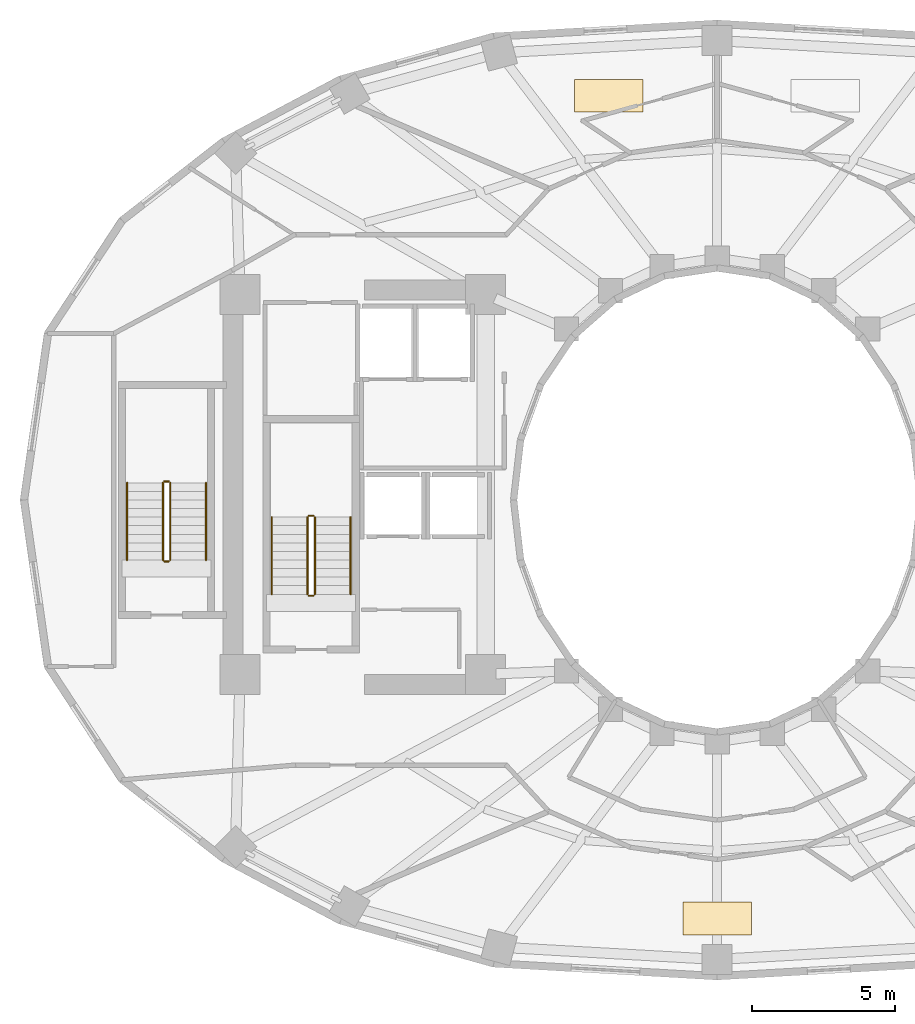
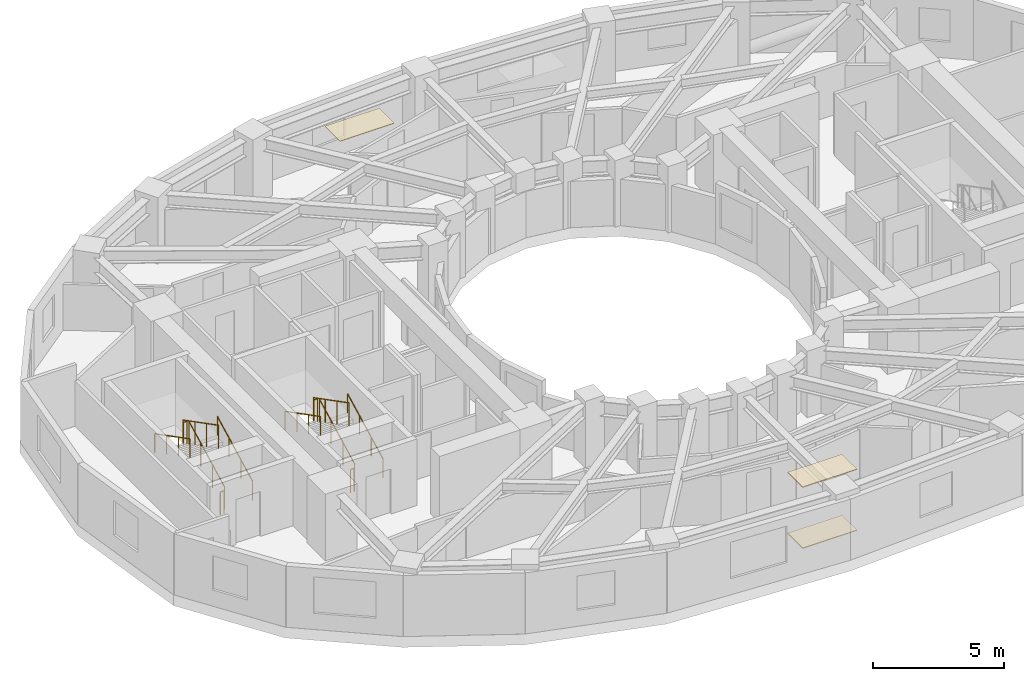
# One storey, part 8 of 9: 12 railings, 3 coverings.
"""IFC4 building model written with IfcOpenShell, lengths in metres."""

from ifc_helpers import new_model, si_unit, direction, frame, origin, origin_2d, place, context, subcontext, project, spatial, polyline, circle, outline, extrude, material, layer, layer_set, type_object, element, save


model = new_model("IFC4")

# Units and contexts
model_context = context("Model", 3, precision=1e-05, world=origin(), true_north=direction((0.0, 1.0)))
body_context = subcontext(model_context, "Body", "Model", "MODEL_VIEW")
ifc_project = project(units=[si_unit("LENGTHUNIT", "METRE"), si_unit("AREAUNIT", "SQUARE_METRE"), si_unit("VOLUMEUNIT", "CUBIC_METRE"), si_unit("PLANEANGLEUNIT", "RADIAN"), si_unit("MASSUNIT", "GRAM", prefix="KILO")], contexts=[model_context])

# Site, building, storey
site_placement = place(None, origin())
site = spatial("IfcSite", under=ifc_project, at=site_placement, CompositionType="ELEMENT")
building_placement = place(site_placement, origin())
building = spatial("IfcBuilding", under=site, at=building_placement, Name="Solvane Sanctuary Tower", CompositionType="ELEMENT")
storey_placement = place(building_placement, frame((0.0, 0.0, 122.800048828125)))
storey = spatial("IfcBuildingStorey", under=building, at=storey_placement, Name="L37", CompositionType="ELEMENT", Elevation=122.800048828125)

# Coverings
ifc_material_1 = material(Name="Acoustic Gypsum Partition Board")
ifc_layer_1 = layer(ifc_material_1, 0.02490234375, Name="Acoustic Gypsum Partition Board")
ifc_layer_set_1 = layer_set([ifc_layer_1], Name="Acoustic Gypsum Partition Board")
covering_type_1 = type_object("IfcCoveringType", Name="Covering CLG-ACOUST", PredefinedType="CEILING", material=ifc_layer_set_1)
covering_1_placement = place(storey_placement, frame((0.0, 0.0, 2.849853515625)))
element("IfcCovering", 1, at=covering_1_placement, inside=storey, type_object=covering_type_1, Name="L37 Unit Acoustic Ceiling Panel 2", PredefinedType="CEILING", context=body_context, shape_type="SweptSolid", body=[
    extrude(outline(polyline([(27.008056640625, 36.575927734375), (29.407958984375, 36.575927734375), (29.407958984375, 37.72607421875), (27.008056640625, 37.72607421875), (27.008056640625, 36.575927734375)])), origin(), (0.0, 0.0, 1.0), 0.030029296875),
])
covering_2_placement = place(storey_placement, frame((0.0, 0.0, 2.849853515625)))
element("IfcCovering", 2, at=covering_2_placement, inside=storey, type_object=covering_type_1, Name="L37 Unit Acoustic Ceiling Panel 3", PredefinedType="CEILING", context=body_context, shape_type="SweptSolid", body=[
    extrude(outline(polyline([(30.800048828125, 7.77490234375), (33.199951171875, 7.77490234375), (33.199951171875, 8.925048828125), (30.800048828125, 8.925048828125), (30.800048828125, 7.77490234375)])), origin(), (0.0, 0.0, 1.0), 0.030029296875),
])
ifc_material_2 = material(Name="Ceramic Tile Finish")
ifc_layer_2 = layer(ifc_material_2, 0.030029296875, Name="Ceramic Tile Finish")
ifc_layer_set_2 = layer_set([ifc_layer_2], Name="Ceramic Tile Finish")
covering_type_2 = type_object("IfcCoveringType", Name="Covering FLR-TERRAZZO", PredefinedType="FLOORING", material=ifc_layer_set_2)
covering_3_placement = place(storey_placement, origin())
element("IfcCovering", 3, at=covering_3_placement, inside=storey, type_object=covering_type_2, Name="L37 Unit Terrazzo Inlay 3", PredefinedType="FLOORING", context=body_context, shape_type="SweptSolid", body=[
    extrude(outline(polyline([(30.800048828125, 7.77490234375), (33.199951171875, 7.77490234375), (33.199951171875, 8.925048828125), (30.800048828125, 8.925048828125), (30.800048828125, 7.77490234375)])), origin(), (0.0, 0.0, 1.0), 0.034912109375),
])

# Railings
ifc_material_3 = material(Name="Architectural Stainless Steel 316", Category="steel")
railing_type_1 = type_object("IfcRailingType", Name="Railing GR-BALC-1150", PredefinedType="BALUSTRADE", material=ifc_material_3)
railing_1_placement = place(storey_placement, frame((17.919921875, 19.699951171875, 0.155029296875)))
element("IfcRailing", 4, at=railing_1_placement, inside=storey, type_object=railing_type_1, Name="L37 ST-1 stair guard 1", PredefinedType="BALUSTRADE", context=body_context, shape_type="SweptSolid", body=[
    extrude(circle(Radius=0.02392578125, at=origin_2d()), frame((0.0, 0.0, 1.076171875), z_axis=(0.0, 0.888419900624, 0.459031676658), x_axis=(-1.0, 0.0, 0.0)), (0.0, 0.0, 1.0), 3.0390625),
    extrude(circle(Radius=0.02099609375, at=origin_2d()), origin(), (0.0, 0.0, 1.0), 1.052001953125),
    extrude(circle(Radius=0.02099609375, at=origin_2d()), frame((0.0, 0.89990234375, 0.465087890625)), (0.0, 0.0, 1.0), 1.052001953125),
    extrude(circle(Radius=0.02099609375, at=origin_2d()), frame((0.0, 1.800048828125, 0.929931640625)), (0.0, 0.0, 1.0), 1.052001953125),
    extrude(circle(Radius=0.02099609375, at=origin_2d()), frame((0.0, 2.699951171875, 1.39501953125)), (0.0, 0.0, 1.0), 1.052001953125),
])
railing_2_placement = place(storey_placement, frame((17.8701171875, 22.449951171875, 1.550048828125)))
element("IfcRailing", 5, at=railing_2_placement, inside=storey, type_object=railing_type_1, Name="L37 ST-1 stair guard 2", PredefinedType="BALUSTRADE", context=body_context, shape_type="SweptSolid", body=[
    extrude(circle(Radius=0.02392578125, at=origin_2d()), frame((0.0, 0.0, 1.076171875), z_axis=(-1.0, 0.0, 0.0), x_axis=(0.0, -1.0, 0.0)), (0.0, 0.0, 1.0), 0.16015625),
    extrude(circle(Radius=0.02099609375, at=origin_2d()), origin(), (0.0, 0.0, 1.0), 1.052001953125),
    extrude(circle(Radius=0.02099609375, at=origin_2d()), frame((-0.16015625, 0.0, 0.0)), (0.0, 0.0, 1.0), 1.052001953125),
])
railing_3_placement = place(storey_placement, frame((17.659912109375, 22.39990234375, 1.704833984375)))
element("IfcRailing", 6, at=railing_3_placement, inside=storey, type_object=railing_type_1, Name="L37 ST-1 stair guard 3", PredefinedType="BALUSTRADE", context=body_context, shape_type="SweptSolid", body=[
    extrude(circle(Radius=0.02392578125, at=origin_2d()), frame((0.0, 0.0, 1.076171875), z_axis=(0.0, -0.888419900624, 0.459031676658), x_axis=(1.0, 0.0, 0.0)), (0.0, 0.0, 1.0), 3.0390625),
    extrude(circle(Radius=0.02099609375, at=origin_2d()), origin(), (0.0, 0.0, 1.0), 1.052001953125),
    extrude(circle(Radius=0.02099609375, at=origin_2d()), frame((0.0, -0.89990234375, 0.465087890625)), (0.0, 0.0, 1.0), 1.052001953125),
    extrude(circle(Radius=0.02099609375, at=origin_2d()), frame((0.0, -1.800048828125, 0.929931640625)), (0.0, 0.0, 1.0), 1.052001953125),
    extrude(circle(Radius=0.02099609375, at=origin_2d()), frame((0.0, -2.699951171875, 1.39501953125)), (0.0, 0.0, 1.0), 1.052001953125),
])
railing_4_placement = place(storey_placement, frame((17.8701171875, 19.64990234375, 0.0)))
element("IfcRailing", 7, at=railing_4_placement, inside=storey, type_object=railing_type_1, Name="L37 ST-1 stair guard 4", PredefinedType="BALUSTRADE", context=body_context, shape_type="SweptSolid", body=[
    extrude(circle(Radius=0.02392578125, at=origin_2d()), frame((0.0, 0.0, 1.076171875), z_axis=(-1.0, 0.0, 0.0), x_axis=(0.0, -1.0, 0.0)), (0.0, 0.0, 1.0), 0.16015625),
    extrude(circle(Radius=0.02099609375, at=origin_2d()), origin(), (0.0, 0.0, 1.0), 1.052001953125),
    extrude(circle(Radius=0.02099609375, at=origin_2d()), frame((-0.16015625, 0.0, 0.0)), (0.0, 0.0, 1.0), 1.052001953125),
])
railing_5_placement = place(storey_placement, frame((12.860107421875, 20.89990234375, 0.155029296875)))
element("IfcRailing", 8, at=railing_5_placement, inside=storey, type_object=railing_type_1, Name="L37 ST-3 stair guard 1", PredefinedType="BALUSTRADE", context=body_context, shape_type="SweptSolid", body=[
    extrude(circle(Radius=0.02392578125, at=origin_2d()), frame((0.0, 0.0, 1.076171875), z_axis=(0.0, 0.888436826113, 0.458998917216), x_axis=(-1.0, 0.0, 0.0)), (0.0, 0.0, 1.0), 3.039306640625),
    extrude(circle(Radius=0.02099609375, at=origin_2d()), origin(), (0.0, 0.0, 1.0), 1.052001953125),
    extrude(circle(Radius=0.02099609375, at=origin_2d()), frame((0.0, 0.900146484375, 0.465087890625)), (0.0, 0.0, 1.0), 1.052001953125),
    extrude(circle(Radius=0.02099609375, at=origin_2d()), frame((0.0, 1.800048828125, 0.929931640625)), (0.0, 0.0, 1.0), 1.052001953125),
    extrude(circle(Radius=0.02099609375, at=origin_2d()), frame((0.0, 2.7001953125, 1.39501953125)), (0.0, 0.0, 1.0), 1.052001953125),
])
railing_6_placement = place(storey_placement, frame((12.81005859375, 23.64990234375, 1.550048828125)))
element("IfcRailing", 9, at=railing_6_placement, inside=storey, type_object=railing_type_1, Name="L37 ST-3 stair guard 2", PredefinedType="BALUSTRADE", context=body_context, shape_type="SweptSolid", body=[
    extrude(circle(Radius=0.02392578125, at=origin_2d()), frame((0.0, 0.0, 1.076171875), z_axis=(-1.0, 0.0, 0.0), x_axis=(0.0, -1.0, 0.0)), (0.0, 0.0, 1.0), 0.16015625),
    extrude(circle(Radius=0.02099609375, at=origin_2d()), origin(), (0.0, 0.0, 1.0), 1.052001953125),
    extrude(circle(Radius=0.02099609375, at=origin_2d()), frame((-0.16015625, 0.0, 0.0)), (0.0, 0.0, 1.0), 1.052001953125),
])
railing_7_placement = place(storey_placement, frame((12.60009765625, 23.60009765625, 1.704833984375)))
element("IfcRailing", 10, at=railing_7_placement, inside=storey, type_object=railing_type_1, Name="L37 ST-3 stair guard 3", PredefinedType="BALUSTRADE", context=body_context, shape_type="SweptSolid", body=[
    extrude(circle(Radius=0.02392578125, at=origin_2d()), frame((0.0, 0.0, 1.076171875), z_axis=(0.0, -0.888436826113, 0.458998917216), x_axis=(1.0, 0.0, 0.0)), (0.0, 0.0, 1.0), 3.039306640625),
    extrude(circle(Radius=0.02099609375, at=origin_2d()), origin(), (0.0, 0.0, 1.0), 1.052001953125),
    extrude(circle(Radius=0.02099609375, at=origin_2d()), frame((0.0, -0.900146484375, 0.465087890625)), (0.0, 0.0, 1.0), 1.052001953125),
    extrude(circle(Radius=0.02099609375, at=origin_2d()), frame((0.0, -1.800048828125, 0.929931640625)), (0.0, 0.0, 1.0), 1.052001953125),
    extrude(circle(Radius=0.02099609375, at=origin_2d()), frame((0.0, -2.7001953125, 1.39501953125)), (0.0, 0.0, 1.0), 1.052001953125),
])
railing_8_placement = place(storey_placement, frame((12.81005859375, 20.85009765625, 0.0)))
element("IfcRailing", 11, at=railing_8_placement, inside=storey, type_object=railing_type_1, Name="L37 ST-3 stair guard 4", PredefinedType="BALUSTRADE", context=body_context, shape_type="SweptSolid", body=[
    extrude(circle(Radius=0.02392578125, at=origin_2d()), frame((0.0, 0.0, 1.076171875), z_axis=(-1.0, 0.0, 0.0), x_axis=(0.0, -1.0, 0.0)), (0.0, 0.0, 1.0), 0.16015625),
    extrude(circle(Radius=0.02099609375, at=origin_2d()), origin(), (0.0, 0.0, 1.0), 1.052001953125),
    extrude(circle(Radius=0.02099609375, at=origin_2d()), frame((-0.16015625, 0.0, 0.0)), (0.0, 0.0, 1.0), 1.052001953125),
])
railing_type_2 = type_object("IfcRailingType", Name="Railing HR-STAIR-920", PredefinedType="HANDRAIL", material=ifc_material_3)
railing_9_placement = place(storey_placement, frame((19.169921875, 19.699951171875, 0.155029296875)))
element("IfcRailing", 12, at=railing_9_placement, inside=storey, type_object=railing_type_2, Name="L37 ST-1 stair handrail 1", PredefinedType="HANDRAIL", context=body_context, shape_type="SweptSolid", body=[
    extrude(circle(Radius=0.02392578125, at=origin_2d()), frame((0.0, 0.0, 0.8759765625), z_axis=(0.0, 0.888419900624, 0.459031676658), x_axis=(-1.0, 0.0, 0.0)), (0.0, 0.0, 1.0), 3.0390625),
    extrude(circle(Radius=0.02099609375, at=origin_2d()), origin(), (0.0, 0.0, 1.0), 0.851806640625),
    extrude(circle(Radius=0.02099609375, at=origin_2d()), frame((0.0, 0.89990234375, 0.465087890625)), (0.0, 0.0, 1.0), 0.851806640625),
    extrude(circle(Radius=0.02099609375, at=origin_2d()), frame((0.0, 1.800048828125, 0.929931640625)), (0.0, 0.0, 1.0), 0.851806640625),
    extrude(circle(Radius=0.02099609375, at=origin_2d()), frame((0.0, 2.699951171875, 1.39501953125)), (0.0, 0.0, 1.0), 0.851806640625),
])
railing_10_placement = place(storey_placement, frame((16.409912109375, 22.39990234375, 1.704833984375)))
element("IfcRailing", 13, at=railing_10_placement, inside=storey, type_object=railing_type_2, Name="L37 ST-1 stair handrail 2", PredefinedType="HANDRAIL", context=body_context, shape_type="SweptSolid", body=[
    extrude(circle(Radius=0.02392578125, at=origin_2d()), frame((0.0, 0.0, 0.8759765625), z_axis=(0.0, -0.888419900624, 0.459031676658), x_axis=(1.0, 0.0, 0.0)), (0.0, 0.0, 1.0), 3.0390625),
    extrude(circle(Radius=0.02099609375, at=origin_2d()), origin(), (0.0, 0.0, 1.0), 0.851806640625),
    extrude(circle(Radius=0.02099609375, at=origin_2d()), frame((0.0, -0.89990234375, 0.465087890625)), (0.0, 0.0, 1.0), 0.851806640625),
    extrude(circle(Radius=0.02099609375, at=origin_2d()), frame((0.0, -1.800048828125, 0.929931640625)), (0.0, 0.0, 1.0), 0.851806640625),
    extrude(circle(Radius=0.02099609375, at=origin_2d()), frame((0.0, -2.699951171875, 1.39501953125)), (0.0, 0.0, 1.0), 0.851806640625),
])
railing_11_placement = place(storey_placement, frame((14.110107421875, 20.89990234375, 0.155029296875)))
element("IfcRailing", 14, at=railing_11_placement, inside=storey, type_object=railing_type_2, Name="L37 ST-3 stair handrail 1", PredefinedType="HANDRAIL", context=body_context, shape_type="SweptSolid", body=[
    extrude(circle(Radius=0.02392578125, at=origin_2d()), frame((0.0, 0.0, 0.8759765625), z_axis=(0.0, 0.888436826113, 0.458998917216), x_axis=(-1.0, 0.0, 0.0)), (0.0, 0.0, 1.0), 3.039306640625),
    extrude(circle(Radius=0.02099609375, at=origin_2d()), origin(), (0.0, 0.0, 1.0), 0.851806640625),
    extrude(circle(Radius=0.02099609375, at=origin_2d()), frame((0.0, 0.900146484375, 0.465087890625)), (0.0, 0.0, 1.0), 0.851806640625),
    extrude(circle(Radius=0.02099609375, at=origin_2d()), frame((0.0, 1.800048828125, 0.929931640625)), (0.0, 0.0, 1.0), 0.851806640625),
    extrude(circle(Radius=0.02099609375, at=origin_2d()), frame((0.0, 2.7001953125, 1.39501953125)), (0.0, 0.0, 1.0), 0.851806640625),
])
railing_12_placement = place(storey_placement, frame((11.35009765625, 23.60009765625, 1.704833984375)))
element("IfcRailing", 15, at=railing_12_placement, inside=storey, type_object=railing_type_2, Name="L37 ST-3 stair handrail 2", PredefinedType="HANDRAIL", context=body_context, shape_type="SweptSolid", body=[
    extrude(circle(Radius=0.02392578125, at=origin_2d()), frame((0.0, 0.0, 0.8759765625), z_axis=(0.0, -0.888436826113, 0.458998917216), x_axis=(1.0, 0.0, 0.0)), (0.0, 0.0, 1.0), 3.039306640625),
    extrude(circle(Radius=0.02099609375, at=origin_2d()), origin(), (0.0, 0.0, 1.0), 0.851806640625),
    extrude(circle(Radius=0.02099609375, at=origin_2d()), frame((0.0, -0.900146484375, 0.465087890625)), (0.0, 0.0, 1.0), 0.851806640625),
    extrude(circle(Radius=0.02099609375, at=origin_2d()), frame((0.0, -1.800048828125, 0.929931640625)), (0.0, 0.0, 1.0), 0.851806640625),
    extrude(circle(Radius=0.02099609375, at=origin_2d()), frame((0.0, -2.7001953125, 1.39501953125)), (0.0, 0.0, 1.0), 0.851806640625),
])

save(model, "model.ifc")
